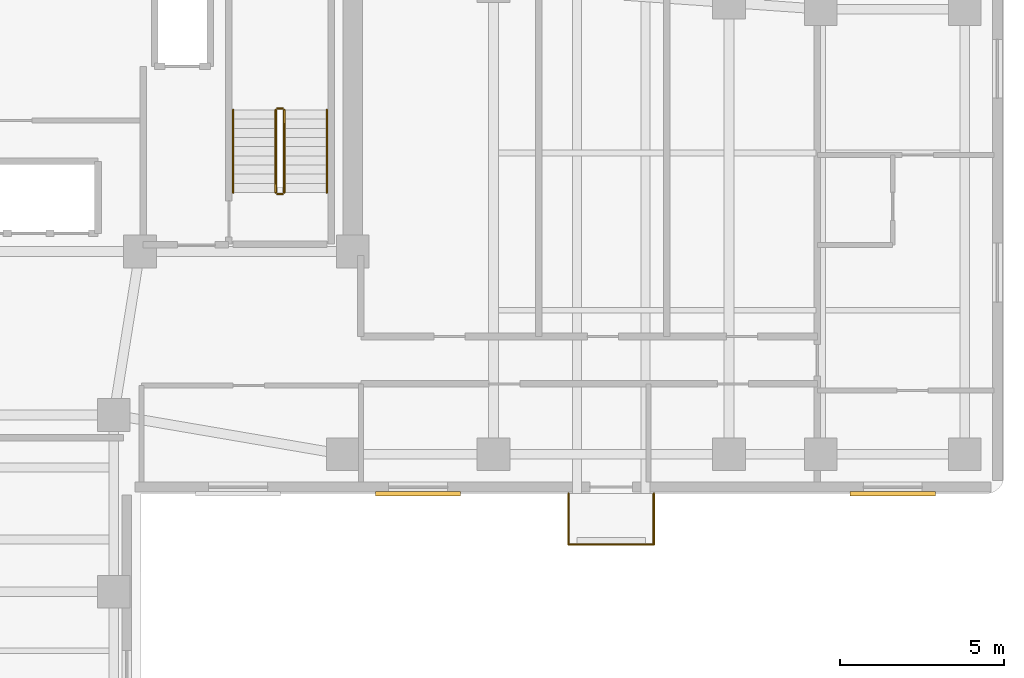
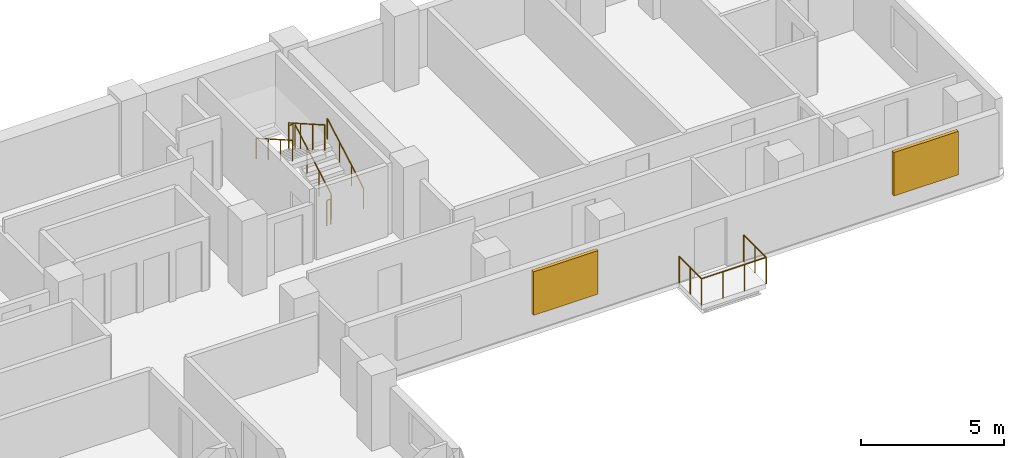
# One storey, part 7 of 7: 9 railings, 2 shading devices.
"""IFC4 building model written with IfcOpenShell, lengths in metres."""

import ifcopenshell
import ifcopenshell.guid

model = None  # the IFC model being written
_history = None  # IfcOwnerHistory: only IFC2X3 demands one
_inside = {}  # id of a spatial element -> (the spatial element, [elements in it])
_under = {}  # id of a project, library or spatial element -> (it, [spatial elements below it])
_declared = {}  # id of a project -> (the project, [libraries it declares])
_typed = {}  # id of a type object -> (the type object, [elements of that type])
_made_of = {}  # id of a material, layer set ... -> (it, [elements and type objects made of it])


def new_model(schema):
    """Start an empty IFC model of exactly this schema.

    Asked for "IFC4X3", IfcOpenShell would pick the latest addendum, in which some entities
    have other attributes; the version numbers below select the first issue.
    IFC2X3 requires an IfcOwnerHistory on every rooted entity: one is made here for all.
    """
    global model, _history
    if schema == "IFC4X3":
        model = ifcopenshell.file(schema_version=(4, 3, 0, 0))
    else:
        model = ifcopenshell.file(schema=schema)
    _inside.clear()
    _under.clear()
    _declared.clear()
    _typed.clear()
    _made_of.clear()
    _history = None
    if model.schema == "IFC2X3":
        org = make("IfcOrganization", Name="unknown")
        user = make(
            "IfcPersonAndOrganization",
            ThePerson=make("IfcPerson", FamilyName="unknown"),
            TheOrganization=org,
        )
        app = make(
            "IfcApplication",
            ApplicationDeveloper=org,
            Version="unknown",
            ApplicationFullName="unknown",
            ApplicationIdentifier="unknown",
        )
        _history = make(
            "IfcOwnerHistory",
            OwningUser=user,
            OwningApplication=app,
            ChangeAction="ADDED",
            CreationDate=0,
        )
    return model


def make(cls, **values):
    """One entity of the class cls with the attributes given. An attribute that is None is left unset."""
    return model.create_entity(
        cls, **{name: value for name, value in values.items() if value is not None}
    )


def rooted(cls, **values):
    """An entity with a GlobalId (a new one), such as an element, a storey or a relation."""
    return make(cls, GlobalId=ifcopenshell.guid.new(), OwnerHistory=_history, **values)


def si_unit(unit_type, name, prefix=None):
    """IfcSIUnit, for example si_unit("LENGTHUNIT", "METRE", prefix="MILLI")."""
    return make("IfcSIUnit", UnitType=unit_type, Prefix=prefix, Name=name)


def assignment(units):
    """IfcUnitAssignment: the units of a project."""
    return None if units is None else make("IfcUnitAssignment", Units=units)


def point(xyz):
    """IfcCartesianPoint."""
    return None if xyz is None else make("IfcCartesianPoint", Coordinates=xyz)


def direction(xyz):
    """IfcDirection."""
    return None if xyz is None else make("IfcDirection", DirectionRatios=xyz)


def frame(location, z_axis=None, x_axis=None):
    """IfcAxis2Placement3D, a coordinate frame: its origin and axes. An axis left out is left unset."""
    return make(
        "IfcAxis2Placement3D",
        Location=point(location),
        Axis=direction(z_axis),
        RefDirection=direction(x_axis),
    )


def frame_2d(location, x_axis=None):
    """IfcAxis2Placement2D, a coordinate frame in the plane: its origin and x axis."""
    return make(
        "IfcAxis2Placement2D", Location=point(location), RefDirection=direction(x_axis)
    )


def origin():
    """The frame at (0, 0, 0) with its axes left unset."""
    return frame((0.0, 0.0, 0.0))


def origin_2d():
    """The frame at (0, 0) in the plane with its x axis left unset."""
    return frame_2d((0.0, 0.0))


def place(relative_to, where):
    """IfcLocalPlacement: puts the frame where relative to a parent placement (None: the world)."""
    return make(
        "IfcLocalPlacement", PlacementRelTo=relative_to, RelativePlacement=where
    )


def context(
    kind, dimensions, precision=None, world=None, true_north=None, identifier=None
):
    """IfcGeometricRepresentationContext, for example the 3D "Model" context."""
    return make(
        "IfcGeometricRepresentationContext",
        ContextIdentifier=identifier,
        ContextType=kind,
        CoordinateSpaceDimension=dimensions,
        Precision=precision,
        WorldCoordinateSystem=world,
        TrueNorth=true_north,
    )


def subcontext(parent, identifier, kind, view, scale=None):
    """IfcGeometricRepresentationSubContext, for example "Body" below "Model"."""
    return make(
        "IfcGeometricRepresentationSubContext",
        ContextIdentifier=identifier,
        ContextType=kind,
        ParentContext=parent,
        TargetScale=scale,
        TargetView=view,
    )


def project(units=None, contexts=None):
    """IfcProject with its units and contexts."""
    return rooted(
        "IfcProject",
        Name="project",
        RepresentationContexts=contexts,
        UnitsInContext=assignment(units),
    )


def spatial(cls, under=None, at=None, **own):
    """A site, building, storey or space (cls), placed at a placement, below another one or the project."""
    s = rooted(cls, ObjectPlacement=at, **own)
    if under is not None:
        _under.setdefault(under.id(), (under, []))[1].append(s)
    return s


def profile(cls, at=None, kind="AREA", **sizes):
    """A parametric profile (cls). Its sizes go by their IFC names, for example OverallWidth=200.0."""
    return make(cls, ProfileType=kind, Position=at, **sizes)


def rectangle(**sizes):
    """IfcRectangleProfileDef."""
    return profile("IfcRectangleProfileDef", **sizes)


def circle(**sizes):
    """IfcCircleProfileDef."""
    return profile("IfcCircleProfileDef", **sizes)


def extrude(swept, where, along, depth):
    """IfcExtrudedAreaSolid: the profile swept, set in the frame where, extruded along a direction by depth."""
    return make(
        "IfcExtrudedAreaSolid",
        SweptArea=swept,
        Position=where,
        ExtrudedDirection=direction(along),
        Depth=depth,
    )


def shape(context_of_items, identifier, shape_type, items):
    """IfcShapeRepresentation: the items that make up one representation, for example the "Body"."""
    return make(
        "IfcShapeRepresentation",
        ContextOfItems=context_of_items,
        RepresentationIdentifier=identifier,
        RepresentationType=shape_type,
        Items=items,
    )


def material(Name=None, Category=None):
    """IfcMaterial."""
    return make("IfcMaterial", Name=Name, Category=Category)


def layer(
    of_material, thickness, ventilated=None, Name=None, Category=None, Priority=None
):
    """IfcMaterialLayer: one layer of a wall or slab, of a material (None: an air gap)."""
    return make(
        "IfcMaterialLayer",
        Material=of_material,
        LayerThickness=thickness,
        IsVentilated=ventilated,
        Name=Name,
        Category=Category,
        Priority=Priority,
    )


def layer_set(layers, Name=None):
    """IfcMaterialLayerSet."""
    return make("IfcMaterialLayerSet", MaterialLayers=layers, LayerSetName=Name)


def made_of(thing, what):
    """Note that an element or type object is made of a material, layer set ...; save() writes the relation."""
    if what is not None:
        _made_of.setdefault(what.id(), (what, []))[1].append(thing)
    return thing


def type_object(cls, material=None, **own):
    """A type object (cls), such as IfcWallType, which elements share."""
    return made_of(rooted(cls, **own), material)


def element(
    cls,
    number,
    at=None,
    inside=None,
    cuts=None,
    type_object=None,
    material=None,
    context=None,
    identifier="Body",
    shape_type=None,
    held_by="IfcProductDefinitionShape",
    body=None,
    shapes=None,
    **own,
):
    """One element of the class cls, such as IfcWall. Its Tag is "e" and its number.

    at: its placement. inside: the storey or other place that contains it. cuts: it is an
    opening in that element (IfcRelVoidsElement). A single representation is given by context,
    identifier, shape_type and body (its items); several are given by shapes. held_by: the class
    of the entity that holds the representations. save() writes the other relations.
    """
    e = rooted(cls, Tag="e%d" % number, ObjectPlacement=at, **own)
    if body is not None:
        shapes = [shape(context, identifier, shape_type, body)]
    if shapes is not None:
        e.Representation = make(held_by, Representations=shapes)
    if inside is not None:
        _inside.setdefault(inside.id(), (inside, []))[1].append(e)
    if cuts is not None:
        rooted(
            "IfcRelVoidsElement", RelatingBuildingElement=cuts, RelatedOpeningElement=e
        )
    if type_object is not None:
        _typed.setdefault(type_object.id(), (type_object, []))[1].append(e)
    return made_of(e, material)


def aggregate(whole, parts):
    """IfcRelAggregates: a whole, such as a stair, and the parts it consists of."""
    return rooted("IfcRelAggregates", RelatingObject=whole, RelatedObjects=parts)


def save(model, path):
    """Write the relations noted so far, then the file.

    IfcRelAggregates (storeys below a building ...), IfcRelContainedInSpatialStructure (elements
    in a storey), IfcRelDefinesByType, IfcRelAssociatesMaterial and IfcRelDeclares: one each for
    every whole, place, type object, material and project.
    """
    for whole, parts in _under.values():
        aggregate(whole, parts)
    for where, things in _inside.values():
        rooted(
            "IfcRelContainedInSpatialStructure",
            RelatedElements=things,
            RelatingStructure=where,
        )
    for kind, things in _typed.values():
        rooted("IfcRelDefinesByType", RelatedObjects=things, RelatingType=kind)
    for what, things in _made_of.values():
        rooted("IfcRelAssociatesMaterial", RelatedObjects=things, RelatingMaterial=what)
    for by, libraries in _declared.values():
        rooted("IfcRelDeclares", RelatingContext=by, RelatedDefinitions=libraries)
    model.write(path)


model = new_model("IFC4")

# Units and contexts
model_context = context("Model", 3, precision=1e-05, world=origin(), true_north=direction((0.0, 1.0)))
body_context = subcontext(model_context, "Body", "Model", "MODEL_VIEW")
ifc_project = project(units=[si_unit("LENGTHUNIT", "METRE"), si_unit("AREAUNIT", "SQUARE_METRE"), si_unit("VOLUMEUNIT", "CUBIC_METRE"), si_unit("PLANEANGLEUNIT", "RADIAN"), si_unit("MASSUNIT", "GRAM", prefix="KILO")], contexts=[model_context])

# Site, building, storey
site_placement = place(None, origin())
site = spatial("IfcSite", under=ifc_project, at=site_placement, CompositionType="ELEMENT")
building_placement = place(site_placement, origin())
building = spatial("IfcBuilding", under=site, at=building_placement, Name="Kuzgunbayir Cultural Tower", CompositionType="ELEMENT")
storey_placement = place(building_placement, frame((0.0, 0.0, 136.199951171875)))
storey = spatial("IfcBuildingStorey", under=building, at=storey_placement, Name="L39", CompositionType="ELEMENT", Elevation=136.199951171875)

# Railings
ifc_material_1 = material(Name="Laminated Glass and Stainless Steel", Category="steel")
ifc_layer_1 = layer(ifc_material_1, 0.080078125)
ifc_layer_set_1 = layer_set([ifc_layer_1], Name="Laminated Glass and Stainless Steel")
railing_type_1 = type_object("IfcRailingType", Name="RLG-BAL-115", PredefinedType="BALUSTRADE", material=ifc_layer_set_1)
railing_1_placement = place(storey_placement, frame((33.5, 26.39990234375, 0.0)))
element("IfcRailing", 1, at=railing_1_placement, inside=storey, type_object=railing_type_1, Name="L39 Balcony Guard BAL-L39-WB2 Segment 1", PredefinedType="BALUSTRADE", context=body_context, shape_type="SweptSolid", body=[
    extrude(circle(Radius=0.02392578125, at=origin_2d()), frame((0.0, 0.0, 1.1259765625), z_axis=(0.0, -1.0, 0.0), x_axis=(1.0, 0.0, 0.0)), (0.0, 0.0, 1.0), 1.559814453125),
    extrude(circle(Radius=0.02099609375, at=origin_2d()), origin(), (0.0, 0.0, 1.0), 1.101806640625),
    extrude(circle(Radius=0.02099609375, at=origin_2d()), frame((0.0, -0.77978515625, 0.0)), (0.0, 0.0, 1.0), 1.101806640625),
    extrude(circle(Radius=0.02099609375, at=origin_2d()), frame((0.0, -1.559814453125, 0.0)), (0.0, 0.0, 1.0), 1.101806640625),
])
railing_2_placement = place(storey_placement, frame((33.5, 24.840087890625, 0.0)))
element("IfcRailing", 2, at=railing_2_placement, inside=storey, type_object=railing_type_1, Name="L39 Balcony Guard BAL-L39-WB2 Segment 2", PredefinedType="BALUSTRADE", context=body_context, shape_type="SweptSolid", body=[
    extrude(circle(Radius=0.02392578125, at=origin_2d()), frame((0.0, 0.0, 1.1259765625), z_axis=(1.0, 0.0, 0.0), x_axis=(0.0, 1.0, 0.0)), (0.0, 0.0, 1.0), 2.60009765625),
    extrude(circle(Radius=0.02099609375, at=origin_2d()), origin(), (0.0, 0.0, 1.0), 1.101806640625),
    extrude(circle(Radius=0.02099609375, at=origin_2d()), frame((0.86669921875, 0.0, 0.0)), (0.0, 0.0, 1.0), 1.101806640625),
    extrude(circle(Radius=0.02099609375, at=origin_2d()), frame((1.7333984375, 0.0, 0.0)), (0.0, 0.0, 1.0), 1.101806640625),
    extrude(circle(Radius=0.02099609375, at=origin_2d()), frame((2.60009765625, 0.0, 0.0)), (0.0, 0.0, 1.0), 1.101806640625),
])
railing_3_placement = place(storey_placement, frame((36.10009765625, 24.840087890625, 0.0)))
element("IfcRailing", 3, at=railing_3_placement, inside=storey, type_object=railing_type_1, Name="L39 Balcony Guard BAL-L39-WB2 Segment 3", PredefinedType="BALUSTRADE", context=body_context, shape_type="SweptSolid", body=[
    extrude(circle(Radius=0.02392578125, at=origin_2d()), frame((0.0, 0.0, 1.1259765625), z_axis=(0.0, 1.0, 0.0), x_axis=(-1.0, 0.0, 0.0)), (0.0, 0.0, 1.0), 1.559814453125),
    extrude(circle(Radius=0.02099609375, at=origin_2d()), origin(), (0.0, 0.0, 1.0), 1.101806640625),
    extrude(circle(Radius=0.02099609375, at=origin_2d()), frame((0.0, 0.77978515625, 0.0)), (0.0, 0.0, 1.0), 1.101806640625),
    extrude(circle(Radius=0.02099609375, at=origin_2d()), frame((0.0, 1.559814453125, 0.0)), (0.0, 0.0, 1.0), 1.101806640625),
])
ifc_material_2 = material(Name="Brushed Stainless Steel", Category="steel")
ifc_layer_2 = layer(ifc_material_2, 0.050048828125)
ifc_layer_set_2 = layer_set([ifc_layer_2], Name="Brushed Stainless Steel")
railing_type_2 = type_object("IfcRailingType", Name="RLG-STAIR-HANDRAIL", PredefinedType="HANDRAIL", material=ifc_layer_set_2)
railing_4_placement = place(storey_placement, frame((26.110107421875, 35.60009765625, 0.16015625)))
element("IfcRailing", 4, at=railing_4_placement, inside=storey, type_object=railing_type_2, Name="L39 ST-2 stair handrail 1", PredefinedType="HANDRAIL", context=body_context, shape_type="SweptSolid", body=[
    extrude(circle(Radius=0.02392578125, at=origin_2d()), frame((0.0, 0.0, 0.8759765625), z_axis=(0.0, 0.868253494771, 0.496120820787), x_axis=(-1.0, 0.0, 0.0)), (0.0, 0.0, 1.0), 2.90234375),
    extrude(circle(Radius=0.02099609375, at=origin_2d()), origin(), (0.0, 0.0, 1.0), 0.851806640625),
    extrude(circle(Radius=0.02099609375, at=origin_2d()), frame((0.0, 0.840087890625, 0.47998046875)), (0.0, 0.0, 1.0), 0.851806640625),
    extrude(circle(Radius=0.02099609375, at=origin_2d()), frame((0.0, 1.679931640625, 0.9599609375)), (0.0, 0.0, 1.0), 0.851806640625),
    extrude(circle(Radius=0.02099609375, at=origin_2d()), frame((0.0, 2.52001953125, 1.43994140625)), (0.0, 0.0, 1.0), 0.851806640625),
])
railing_5_placement = place(storey_placement, frame((23.25, 38.1201171875, 1.760009765625)))
element("IfcRailing", 5, at=railing_5_placement, inside=storey, type_object=railing_type_2, Name="L39 ST-2 stair handrail 2", PredefinedType="HANDRAIL", context=body_context, shape_type="SweptSolid", body=[
    extrude(circle(Radius=0.02392578125, at=origin_2d()), frame((0.0, 0.0, 0.8759765625), z_axis=(0.0, -0.868253494771, 0.496120820787), x_axis=(1.0, 0.0, 0.0)), (0.0, 0.0, 1.0), 2.90234375),
    extrude(circle(Radius=0.02099609375, at=origin_2d()), origin(), (0.0, 0.0, 1.0), 0.851806640625),
    extrude(circle(Radius=0.02099609375, at=origin_2d()), frame((0.0, -0.840087890625, 0.47998046875)), (0.0, 0.0, 1.0), 0.851806640625),
    extrude(circle(Radius=0.02099609375, at=origin_2d()), frame((0.0, -1.679931640625, 0.9599609375)), (0.0, 0.0, 1.0), 0.851806640625),
    extrude(circle(Radius=0.02099609375, at=origin_2d()), frame((0.0, -2.52001953125, 1.43994140625)), (0.0, 0.0, 1.0), 0.851806640625),
])
ifc_material_3 = material(Name="Painted Steel Balustrade", Category="steel")
ifc_layer_3 = layer(ifc_material_3, 0.06005859375)
ifc_layer_set_3 = layer_set([ifc_layer_3], Name="Painted Steel Balustrade")
railing_type_3 = type_object("IfcRailingType", Name="RLG-WELL-GUARD", PredefinedType="GUARDRAIL", material=ifc_layer_set_3)
railing_6_placement = place(storey_placement, frame((24.81005859375, 35.60009765625, 0.16015625)))
element("IfcRailing", 6, at=railing_6_placement, inside=storey, type_object=railing_type_3, Name="L39 ST-2 stair guard 1", PredefinedType="GUARDRAIL", context=body_context, shape_type="SweptSolid", body=[
    extrude(circle(Radius=0.02392578125, at=origin_2d()), frame((0.0, 0.0, 1.076171875), z_axis=(0.0, 0.868253494771, 0.496120820787), x_axis=(-1.0, 0.0, 0.0)), (0.0, 0.0, 1.0), 2.90234375),
    extrude(circle(Radius=0.02099609375, at=origin_2d()), origin(), (0.0, 0.0, 1.0), 1.052001953125),
    extrude(circle(Radius=0.02099609375, at=origin_2d()), frame((0.0, 0.840087890625, 0.47998046875)), (0.0, 0.0, 1.0), 1.052001953125),
    extrude(circle(Radius=0.02099609375, at=origin_2d()), frame((0.0, 1.679931640625, 0.9599609375)), (0.0, 0.0, 1.0), 1.052001953125),
    extrude(circle(Radius=0.02099609375, at=origin_2d()), frame((0.0, 2.52001953125, 1.43994140625)), (0.0, 0.0, 1.0), 1.052001953125),
])
railing_7_placement = place(storey_placement, frame((24.760009765625, 38.169921875, 1.60009765625)))
element("IfcRailing", 7, at=railing_7_placement, inside=storey, type_object=railing_type_3, Name="L39 ST-2 stair guard 2", PredefinedType="GUARDRAIL", context=body_context, shape_type="SweptSolid", body=[
    extrude(circle(Radius=0.02392578125, at=origin_2d()), frame((0.0, 0.0, 1.076171875), z_axis=(-1.0, 0.0, 0.0), x_axis=(0.0, -1.0, 0.0)), (0.0, 0.0, 1.0), 0.159912109375),
    extrude(circle(Radius=0.02099609375, at=origin_2d()), origin(), (0.0, 0.0, 1.0), 1.052001953125),
    extrude(circle(Radius=0.02099609375, at=origin_2d()), frame((-0.159912109375, 0.0, 0.0)), (0.0, 0.0, 1.0), 1.052001953125),
])
railing_8_placement = place(storey_placement, frame((24.550048828125, 38.1201171875, 1.760009765625)))
element("IfcRailing", 8, at=railing_8_placement, inside=storey, type_object=railing_type_3, Name="L39 ST-2 stair guard 3", PredefinedType="GUARDRAIL", context=body_context, shape_type="SweptSolid", body=[
    extrude(circle(Radius=0.02392578125, at=origin_2d()), frame((0.0, 0.0, 1.076171875), z_axis=(0.0, -0.868253494771, 0.496120820787), x_axis=(1.0, 0.0, 0.0)), (0.0, 0.0, 1.0), 2.90234375),
    extrude(circle(Radius=0.02099609375, at=origin_2d()), origin(), (0.0, 0.0, 1.0), 1.052001953125),
    extrude(circle(Radius=0.02099609375, at=origin_2d()), frame((0.0, -0.840087890625, 0.47998046875)), (0.0, 0.0, 1.0), 1.052001953125),
    extrude(circle(Radius=0.02099609375, at=origin_2d()), frame((0.0, -1.679931640625, 0.9599609375)), (0.0, 0.0, 1.0), 1.052001953125),
    extrude(circle(Radius=0.02099609375, at=origin_2d()), frame((0.0, -2.52001953125, 1.43994140625)), (0.0, 0.0, 1.0), 1.052001953125),
])
railing_9_placement = place(storey_placement, frame((24.760009765625, 35.550048828125, 0.0)))
element("IfcRailing", 9, at=railing_9_placement, inside=storey, type_object=railing_type_3, Name="L39 ST-2 stair guard 4", PredefinedType="GUARDRAIL", context=body_context, shape_type="SweptSolid", body=[
    extrude(circle(Radius=0.02392578125, at=origin_2d()), frame((0.0, 0.0, 1.076171875), z_axis=(-1.0, 0.0, 0.0), x_axis=(0.0, -1.0, 0.0)), (0.0, 0.0, 1.0), 0.159912109375),
    extrude(circle(Radius=0.02099609375, at=origin_2d()), origin(), (0.0, 0.0, 1.0), 1.052001953125),
    extrude(circle(Radius=0.02099609375, at=origin_2d()), frame((-0.159912109375, 0.0, 0.0)), (0.0, 0.0, 1.0), 1.052001953125),
])

# Shading devices
ifc_material_4 = material(Name="Perforated Bronze-Anodised Aluminium", Category="aluminium")
shading_device_type = type_object("IfcShadingDeviceType", Name="SHD-SOLAR-BRONZE", PredefinedType="JALOUSIE", material=ifc_material_4)
for number, where, z_axis, x_axis, name in (
    (10, (28.89990234375, 26.39990234375, 0.72509765625), (0.0, 0.0, 1.0), (1.0, 0.0, 0.0), "L39 Solar Screen WBS11"),
    (11, (43.39990234375, 26.39990234375, 0.72509765625), (0.0, 0.0, 1.0), (1.0, 0.0, 0.0), "L39 Solar Screen WBS12"),
):
    element("IfcShadingDevice", number, at=place(storey_placement, frame(where, z_axis=z_axis, x_axis=x_axis)), inside=storey, type_object=shading_device_type, Name=name, PredefinedType="JALOUSIE", context=body_context, shape_type="SweptSolid", body=[
        extrude(rectangle(XDim=2.60009765625, YDim=0.139892578125, at=origin_2d()), origin(), (0.0, 0.0, 1.0), 1.85009765625),
    ])

save(model, "model.ifc")
